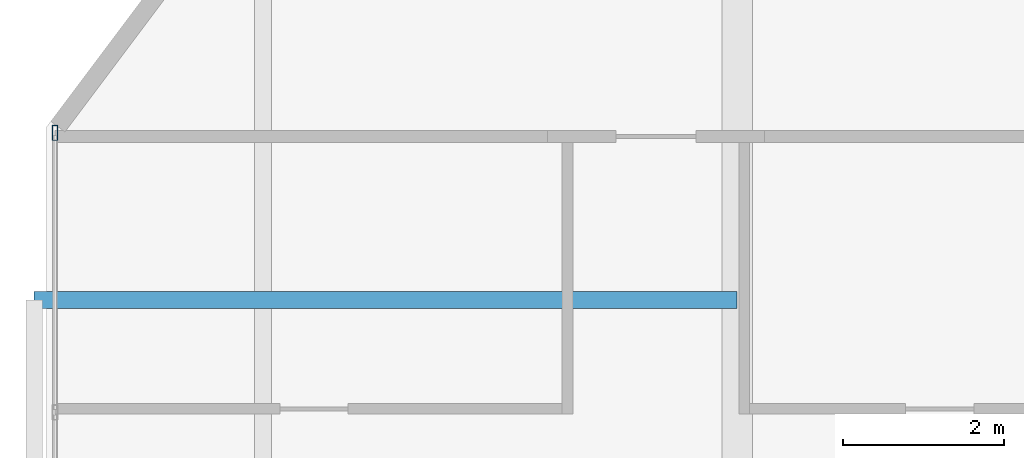
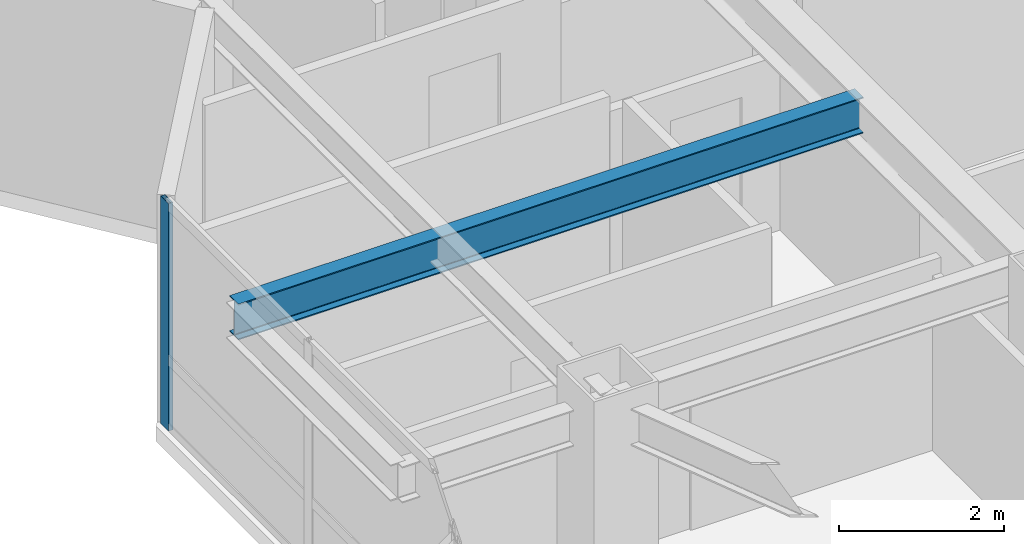
# One storey, part 6 of 17: 1 beam, 1 member, 1 element without a shape of its own.
"""IFC4 building model written with IfcOpenShell, lengths in metres."""

from ifc_helpers import new_model, si_unit, direction, frame, origin, origin_2d, place, context, subcontext, project, spatial, hollow_rectangle, i_section, extrude, material, material_profile, profile_set, type_object, element, aggregate, save


model = new_model("IFC4")

# Units and contexts
model_context = context("Model", 3, precision=1e-05, world=origin(), true_north=direction((0.0, 1.0)))
body_context = subcontext(model_context, "Body", "Model", "MODEL_VIEW")
ifc_project = project(units=[si_unit("LENGTHUNIT", "METRE"), si_unit("AREAUNIT", "SQUARE_METRE"), si_unit("VOLUMEUNIT", "CUBIC_METRE"), si_unit("PLANEANGLEUNIT", "RADIAN"), si_unit("MASSUNIT", "GRAM", prefix="KILO")], contexts=[model_context])

# Site, building, storey
site_placement = place(None, origin())
site = spatial("IfcSite", under=ifc_project, at=site_placement, CompositionType="ELEMENT")
building_placement = place(site_placement, origin())
building = spatial("IfcBuilding", under=site, at=building_placement, Name="Khamvora Tower", CompositionType="ELEMENT")
storey_placement = place(building_placement, frame((0.0, 0.0, 142.050048828125)))
storey = spatial("IfcBuildingStorey", under=building, at=storey_placement, Name="L36", CompositionType="ELEMENT", Elevation=142.050048828125)

# Beam
ifc_material_1 = material(Name="Steel S355", Category="steel")
ifc_material_profile_1 = material_profile(ifc_material_1, i_section(OverallWidth=0.208984375, OverallDepth=0.532958984375, WebThickness=0.010009765625, FlangeThickness=0.01611328125, FilletRadius=0.013916015625, at=origin_2d()), Name="W530x92")
ifc_profile_set_1 = profile_set([ifc_material_profile_1], Name="Steel S355")
beam_type = type_object("IfcBeamType", Name="BM-SP-W530x92", PredefinedType="SPANDREL", material=ifc_profile_set_1)
beam_placement = place(storey_placement, frame((18.0, 22.64990234375, 2.962890625), z_axis=(-1.0, 0.0, 0.0), x_axis=(0.0, -1.0, 0.0)))
element("IfcBeam", 1, at=beam_placement, inside=storey, type_object=beam_type, Name="L36 continuous gallery cantilever girder L37-WL1-2", PredefinedType="SPANDREL", context=body_context, shape_type="SweptSolid", body=[
    extrude(i_section(OverallWidth=0.208984375, OverallDepth=0.532958984375, WebThickness=0.010009765625, FlangeThickness=0.01611328125, FilletRadius=0.013916015625, at=origin_2d()), origin(), (0.0, 0.0, 1.0), 8.75),
])

# Curtain wall, member
ifc_material_2 = material(Name="Anodised Aluminium 6063-T6", Category="aluminium")
curtain_wall_type = type_object("IfcCurtainWallType", Name="CW-SYS-03", PredefinedType="NOTDEFINED", material=ifc_material_2)
curtain_wall_placement = place(storey_placement, origin())
curtain_wall = element("IfcCurtainWall", 2, at=curtain_wall_placement, inside=storey, type_object=curtain_wall_type, Name="L36 stick curtain wall 02.1", PredefinedType="NOTDEFINED")
ifc_material_profile_2 = material_profile(ifc_material_2, hollow_rectangle(XDim=0.06494140625, YDim=0.18994140625, WallThickness=0.0048828125, at=origin_2d()), Name="MUL65x190x5")
ifc_profile_set_2 = profile_set([ifc_material_profile_2], Name="Anodised Aluminium 6063-T6")
member_type = type_object("IfcMemberType", Name="CW-SYS-03-MUL", PredefinedType="MULLION", material=ifc_profile_set_2)
member_placement = place(storey_placement, frame((9.510009765625, 24.73046875, 0.0), z_axis=(0.0, 0.0, 1.0), x_axis=(-1.0, 0.0, 0.0)))
member = element("IfcMember", 3, at=member_placement, type_object=member_type, Name="CW-03 mullion 5", PredefinedType="MULLION", context=body_context, shape_type="SweptSolid", body=[
    extrude(hollow_rectangle(XDim=0.06494140625, YDim=0.18994140625, WallThickness=0.0048828125, at=origin_2d()), origin(), (0.0, 0.0, 1.0), 3.369873046875),
])
aggregate(curtain_wall, [member])

save(model, "model.ifc")
